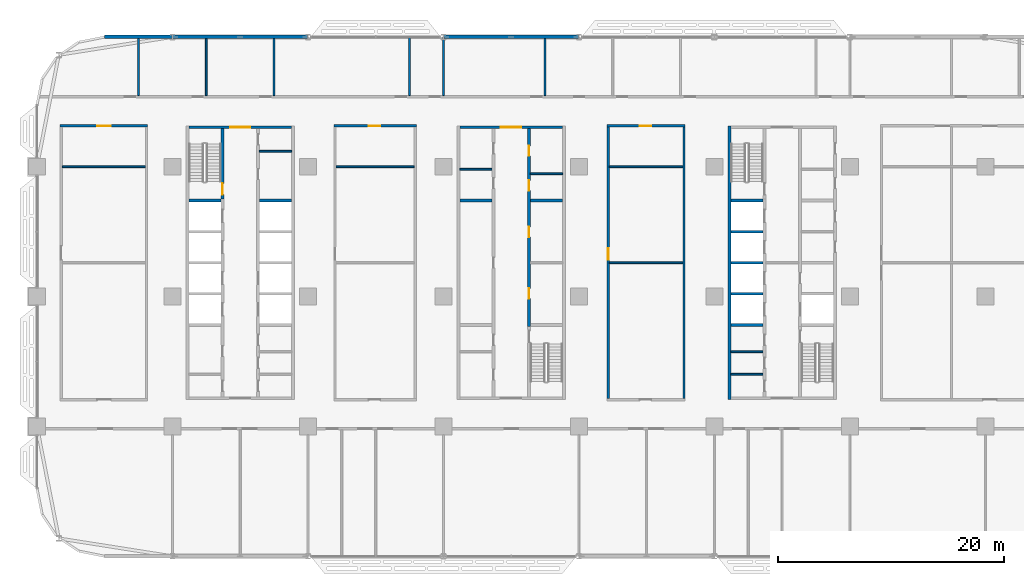
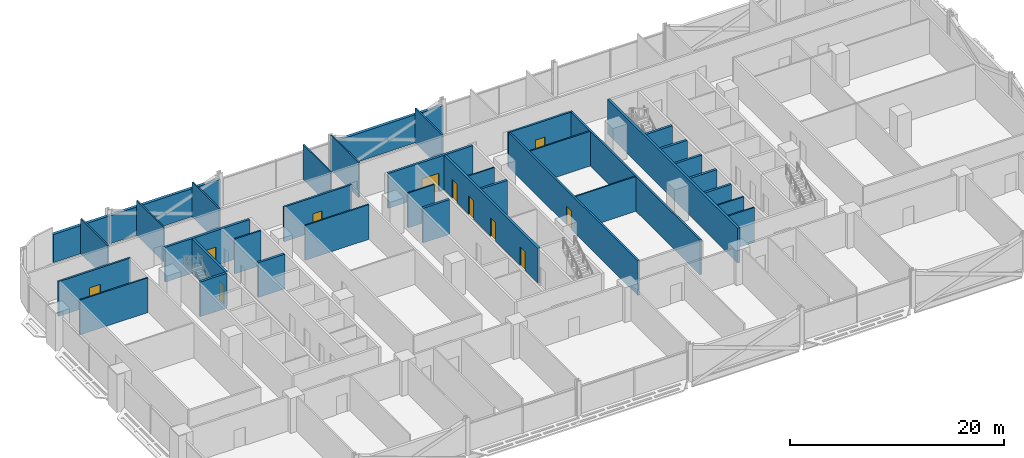
# One storey, part 14 of 29: 37 walls, 11 doors, 11 openings.
"""IFC4 building model written with IfcOpenShell, lengths in metres."""

from ifc_helpers import new_model, si_unit, direction, frame, frame_2d, origin, place, context, subcontext, project, spatial, rectangle, extrude, material, layer, layer_set, type_object, element, fill, save


model = new_model("IFC4")

# Units and contexts
model_context = context("Model", 3, precision=1e-05, world=origin(), true_north=direction((0.0, 1.0)))
body_context = subcontext(model_context, "Body", "Model", "MODEL_VIEW")
ifc_project = project(units=[si_unit("LENGTHUNIT", "METRE"), si_unit("AREAUNIT", "SQUARE_METRE"), si_unit("VOLUMEUNIT", "CUBIC_METRE"), si_unit("PLANEANGLEUNIT", "RADIAN"), si_unit("MASSUNIT", "GRAM", prefix="KILO")], contexts=[model_context])

# Site, building, storey
site_placement = place(None, origin())
site = spatial("IfcSite", under=ifc_project, at=site_placement, CompositionType="ELEMENT")
building_placement = place(site_placement, origin())
building = spatial("IfcBuilding", under=site, at=building_placement, Name="Mahtab Terrace Research Tower", CompositionType="ELEMENT")
storey_placement = place(building_placement, frame((0.0, 0.0, 58.89990234375)))
storey = spatial("IfcBuildingStorey", under=building, at=storey_placement, Name="L13", CompositionType="ELEMENT", Elevation=58.89990234375)

# Walls
ifc_material_1 = material(Name="Gypsum board partition")
ifc_layer_1 = layer(ifc_material_1, 0.14990234375)
ifc_layer_set_1 = layer_set([ifc_layer_1], Name="Core partition 150")
wall_type_1 = type_object("IfcWallType", Name="Core partition 150", PredefinedType="PARTITIONING", material=ifc_layer_set_1)
for number, where, z_axis, x_axis, name in (
    (1, (-22.300048828125, 12.875, 0.0), (0.0, 0.0, 1.0), (1.0, 0.0, 0.0), "Core wall A pEN988"),
    (2, (-4.550048828125, 11.27490234375, 0.0), (0.0, 0.0, 1.0), (1.0, 0.0, 0.0), "Core wall B pWN828"),
    (3, (1.699951171875, 10.875, 0.0), (0.0, 0.0, 1.0), (1.0, 0.0, 0.0), "Core wall B pEN788"),
    (4, (19.449951171875, -6.875, 0.0), (0.0, 0.0, 1.0), (1.0, 0.0, 0.0), "Core wall C pWS-988"),
    (5, (19.449951171875, -4.875, 0.0), (0.0, 0.0, 1.0), (1.0, 0.0, 0.0), "Core wall C pWS-788"),
):
    element("IfcWall", number, at=place(storey_placement, frame(where, z_axis=z_axis, x_axis=x_axis)), inside=storey, type_object=wall_type_1, Name=name, PredefinedType="PARTITIONING", context=body_context, shape_type="SweptSolid", body=[
        extrude(rectangle(XDim=2.85009765625, YDim=0.14990234375, at=frame_2d((1.425048828125, 0.0))), origin(), (0.0, 0.0, 1.0), 3.960205078125),
    ])

# Wall, opening, door
ifc_material_2 = material(Name="Concrete C70/85", Category="concrete")
ifc_layer_2 = layer(ifc_material_2, 0.25)
ifc_layer_set_2 = layer_set([ifc_layer_2], Name="Core wall 250")
wall_type_2 = type_object("IfcWallType", Name="Core wall 250", PredefinedType="SOLIDWALL", material=ifc_layer_set_2)
wall_1_placement = place(storey_placement, frame((-28.550048828125, 15.0, 0.0), z_axis=(0.0, 0.0, 1.0), x_axis=(1.0, 0.0, 0.0)))
wall_1 = element("IfcWall", 6, at=wall_1_placement, inside=storey, type_object=wall_type_2, Name="Core wall A endN", PredefinedType="SOLIDWALL", context=body_context, shape_type="SweptSolid", body=[
    extrude(rectangle(XDim=9.10009765625, YDim=0.25, at=frame_2d((4.550048828125, 0.0))), origin(), (0.0, 0.0, 1.0), 3.960205078125),
])
opening_1_placement = place(wall_1_placement, frame((3.64990234375, 0.0, 0.0)))
opening_1 = element("IfcOpeningElement", 7, at=opening_1_placement, cuts=wall_1, Name="Opening A-N1", PredefinedType="OPENING", context=body_context, shape_type="SweptSolid", body=[
    extrude(rectangle(XDim=1.800048828125, YDim=2.10009765625, at=frame_2d((0.89990234375, 1.050048828125))), frame((0.0, 0.135009765625, 0.0), z_axis=(0.0, -1.0, 0.0), x_axis=(1.0, 0.0, 0.0)), (0.0, 0.0, 1.0), 0.27001953125),
])
ifc_material_3 = material(Name="Steel fire door", Category="steel")
door_type_1 = type_object("IfcDoorType", Name="Lobby double door 1800x2100 1 HR", OperationType="DOUBLE_DOOR_SINGLE_SWING", PredefinedType="DOOR", material=ifc_material_3)
door_1_placement = place(opening_1_placement, origin())
door_1 = element("IfcDoor", 8, at=door_1_placement, inside=storey, type_object=door_type_1, Name="Core entrance door A N", OperationType="DOUBLE_DOOR_SINGLE_SWING", OverallHeight=2.10009765625, OverallWidth=1.800048828125, PredefinedType="DOOR", context=body_context, shape_type="SweptSolid", body=[
    extrude(rectangle(XDim=1.800048828125, YDim=2.10009765625, at=frame_2d((0.89990234375, 1.050048828125))), frame((0.0, 0.02490234375, 0.0), z_axis=(0.0, -1.0, 0.0), x_axis=(1.0, 0.0, 0.0)), (0.0, 0.0, 1.0), 0.050048828125),
])
fill(opening_1, door_1)

wall_2_placement = place(storey_placement, frame((-25.574951171875, 14.875, 0.0), z_axis=(0.0, 0.0, 1.0), x_axis=(0.0, -1.0, 0.0)))
wall_2 = element("IfcWall", 9, at=wall_2_placement, inside=storey, type_object=wall_type_2, Name="Core wall A innerWN", PredefinedType="SOLIDWALL", context=body_context, shape_type="SweptSolid", body=[
    extrude(rectangle(XDim=6.25, YDim=0.25, at=frame_2d((3.125, 0.0))), origin(), (0.0, 0.0, 1.0), 3.960205078125),
])
opening_2_placement = place(wall_2_placement, frame((4.85009765625, 0.0, 0.0)))
opening_2 = element("IfcOpeningElement", 10, at=opening_2_placement, cuts=wall_2, Name="Opening A-ST1", PredefinedType="OPENING", context=body_context, shape_type="SweptSolid", body=[
    extrude(rectangle(XDim=1.0, YDim=2.10009765625, at=frame_2d((0.5, 1.050048828125))), frame((0.0, 0.135009765625, 0.0), z_axis=(0.0, -1.0, 0.0), x_axis=(1.0, 0.0, 0.0)), (0.0, 0.0, 1.0), 0.27001953125),
])
door_type_2 = type_object("IfcDoorType", Name="Stair door 1000x2100 1.5 HR", OperationType="NOTDEFINED", PredefinedType="DOOR", material=ifc_material_3)
door_2_placement = place(opening_2_placement, origin())
door_2 = element("IfcDoor", 11, at=door_2_placement, inside=storey, type_object=door_type_2, Name="Stair door ST1 L13", OperationType="SINGLE_SWING_RIGHT", OverallHeight=2.10009765625, OverallWidth=1.0, PredefinedType="DOOR", context=body_context, shape_type="SweptSolid", body=[
    extrude(rectangle(XDim=1.0, YDim=2.10009765625, at=frame_2d((0.5, 1.050048828125))), frame((0.0, 0.02490234375, 0.0), z_axis=(0.0, -1.0, 0.0), x_axis=(1.0, 0.0, 0.0)), (0.0, 0.0, 1.0), 0.050048828125),
])
fill(opening_2, door_2)

# Walls
for number, where, z_axis, x_axis, name in (
    (12, (-28.550048828125, 8.5, 0.0), (0.0, 0.0, 1.0), (1.0, 0.0, 0.0), "Core wall A divW4"),
    (13, (-22.300048828125, 8.5, 0.0), (0.0, 0.0, 1.0), (1.0, 0.0, 0.0), "Core wall A divE4"),
):
    element("IfcWall", number, at=place(storey_placement, frame(where, z_axis=z_axis, x_axis=x_axis)), inside=storey, type_object=wall_type_2, Name=name, PredefinedType="SOLIDWALL", context=body_context, shape_type="SweptSolid", body=[
        extrude(rectangle(XDim=2.85009765625, YDim=0.25, at=frame_2d((1.425048828125, 0.0))), origin(), (0.0, 0.0, 1.0), 3.960205078125),
    ])

# Wall, opening, door
wall_3_placement = place(storey_placement, frame((-4.550048828125, 15.0, 0.0), z_axis=(0.0, 0.0, 1.0), x_axis=(1.0, 0.0, 0.0)))
wall_3 = element("IfcWall", 14, at=wall_3_placement, inside=storey, type_object=wall_type_2, Name="Core wall B endN", PredefinedType="SOLIDWALL", context=body_context, shape_type="SweptSolid", body=[
    extrude(rectangle(XDim=9.10009765625, YDim=0.25, at=frame_2d((4.550048828125, 0.0))), origin(), (0.0, 0.0, 1.0), 3.960205078125),
])
opening_3_placement = place(wall_3_placement, frame((3.64990234375, 0.0, 0.0)))
opening_3 = element("IfcOpeningElement", 15, at=opening_3_placement, cuts=wall_3, Name="Opening B-N1", PredefinedType="OPENING", context=body_context, shape_type="SweptSolid", body=[
    extrude(rectangle(XDim=1.800048828125, YDim=2.10009765625, at=frame_2d((0.89990234375, 1.050048828125))), frame((0.0, 0.135009765625, 0.0), z_axis=(0.0, -1.0, 0.0), x_axis=(1.0, 0.0, 0.0)), (0.0, 0.0, 1.0), 0.27001953125),
])
door_3_placement = place(opening_3_placement, origin())
door_3 = element("IfcDoor", 16, at=door_3_placement, inside=storey, type_object=door_type_1, Name="Core entrance door B N", OperationType="DOUBLE_DOOR_SINGLE_SWING", OverallHeight=2.10009765625, OverallWidth=1.800048828125, PredefinedType="DOOR", context=body_context, shape_type="SweptSolid", body=[
    extrude(rectangle(XDim=1.800048828125, YDim=2.10009765625, at=frame_2d((0.89990234375, 1.050048828125))), frame((0.0, 0.02490234375, 0.0), z_axis=(0.0, -1.0, 0.0), x_axis=(1.0, 0.0, 0.0)), (0.0, 0.0, 1.0), 0.050048828125),
])
fill(opening_3, door_3)

# Wall, openings, doors
wall_4_placement = place(storey_placement, frame((1.574951171875, 14.875, 0.0), z_axis=(0.0, 0.0, 1.0), x_axis=(0.0, -1.0, 0.0)))
wall_4 = element("IfcWall", 17, at=wall_4_placement, inside=storey, type_object=wall_type_2, Name="Core wall B innerELN", PredefinedType="SOLIDWALL", context=body_context, shape_type="SweptSolid", body=[
    extrude(rectangle(XDim=17.5, YDim=0.25, at=frame_2d((8.75, 0.0))), origin(), (0.0, 0.0, 1.0), 3.960205078125),
])
opening_4_placement = place(wall_4_placement, frame((14.14990234375, 0.0, 0.0)))
opening_4 = element("IfcOpeningElement", 18, at=opening_4_placement, cuts=wall_4, Name="Opening B-R2", PredefinedType="OPENING", context=body_context, shape_type="SweptSolid", body=[
    extrude(rectangle(XDim=0.89990234375, YDim=2.10009765625, at=frame_2d((0.449951171875, 1.050048828125))), frame((0.0, 0.135009765625, 0.0), z_axis=(0.0, -1.0, 0.0), x_axis=(1.0, 0.0, 0.0)), (0.0, 0.0, 1.0), 0.27001953125),
])
opening_5_placement = place(wall_4_placement, frame((8.699951171875, 0.0, 0.0)))
opening_5 = element("IfcOpeningElement", 19, at=opening_5_placement, cuts=wall_4, Name="Opening B-R3", PredefinedType="OPENING", context=body_context, shape_type="SweptSolid", body=[
    extrude(rectangle(XDim=0.89990234375, YDim=2.10009765625, at=frame_2d((0.449951171875, 1.050048828125))), frame((0.0, 0.135009765625, 0.0), z_axis=(0.0, -1.0, 0.0), x_axis=(1.0, 0.0, 0.0)), (0.0, 0.0, 1.0), 0.27001953125),
])
opening_6_placement = place(wall_4_placement, frame((4.58740234375, 0.0, 0.0)))
opening_6 = element("IfcOpeningElement", 20, at=opening_6_placement, cuts=wall_4, Name="Opening B-R8", PredefinedType="OPENING", context=body_context, shape_type="SweptSolid", body=[
    extrude(rectangle(XDim=0.89990234375, YDim=2.10009765625, at=frame_2d((0.449951171875, 1.050048828125))), frame((0.0, 0.135009765625, 0.0), z_axis=(0.0, -1.0, 0.0), x_axis=(1.0, 0.0, 0.0)), (0.0, 0.0, 1.0), 0.27001953125),
])
opening_7_placement = place(wall_4_placement, frame((1.512451171875, 0.0, 0.0)))
opening_7 = element("IfcOpeningElement", 21, at=opening_7_placement, cuts=wall_4, Name="Opening B-R9", PredefinedType="OPENING", context=body_context, shape_type="SweptSolid", body=[
    extrude(rectangle(XDim=0.89990234375, YDim=2.10009765625, at=frame_2d((0.449951171875, 1.050048828125))), frame((0.0, 0.135009765625, 0.0), z_axis=(0.0, -1.0, 0.0), x_axis=(1.0, 0.0, 0.0)), (0.0, 0.0, 1.0), 0.27001953125),
])
door_type_3 = type_object("IfcDoorType", Name="Room door 900x2100 1 HR", OperationType="NOTDEFINED", PredefinedType="DOOR", material=ifc_material_3)
door_4_placement = place(opening_4_placement, origin())
door_4 = element("IfcDoor", 22, at=door_4_placement, inside=storey, type_object=door_type_3, Name="Document store door", OperationType="SINGLE_SWING_RIGHT", OverallHeight=2.10009765625, OverallWidth=0.89990234375, PredefinedType="DOOR", context=body_context, shape_type="SweptSolid", body=[
    extrude(rectangle(XDim=0.89990234375, YDim=2.10009765625, at=frame_2d((0.449951171875, 1.050048828125))), frame((0.0, 0.02490234375, 0.0), z_axis=(0.0, -1.0, 0.0), x_axis=(1.0, 0.0, 0.0)), (0.0, 0.0, 1.0), 0.050048828125),
])
fill(opening_4, door_4)
door_5_placement = place(opening_5_placement, origin())
door_5 = element("IfcDoor", 23, at=door_5_placement, inside=storey, type_object=door_type_3, Name="IT equipment room door", OperationType="SINGLE_SWING_LEFT", OverallHeight=2.10009765625, OverallWidth=0.89990234375, PredefinedType="DOOR", context=body_context, shape_type="SweptSolid", body=[
    extrude(rectangle(XDim=0.89990234375, YDim=2.10009765625, at=frame_2d((0.449951171875, 1.050048828125))), frame((0.0, 0.02490234375, 0.0), z_axis=(0.0, -1.0, 0.0), x_axis=(1.0, 0.0, 0.0)), (0.0, 0.0, 1.0), 0.050048828125),
])
fill(opening_5, door_5)
door_6_placement = place(opening_6_placement, origin())
door_6 = element("IfcDoor", 24, at=door_6_placement, inside=storey, type_object=door_type_3, Name="Accessible WC door", OperationType="SINGLE_SWING_RIGHT", OverallHeight=2.10009765625, OverallWidth=0.89990234375, PredefinedType="DOOR", context=body_context, shape_type="SweptSolid", body=[
    extrude(rectangle(XDim=0.89990234375, YDim=2.10009765625, at=frame_2d((0.449951171875, 1.050048828125))), frame((0.0, 0.02490234375, 0.0), z_axis=(0.0, -1.0, 0.0), x_axis=(1.0, 0.0, 0.0)), (0.0, 0.0, 1.0), 0.050048828125),
])
fill(opening_6, door_6)
door_7_placement = place(opening_7_placement, origin())
door_7 = element("IfcDoor", 25, at=door_7_placement, inside=storey, type_object=door_type_3, Name="WC block door", OperationType="SINGLE_SWING_LEFT", OverallHeight=2.10009765625, OverallWidth=0.89990234375, PredefinedType="DOOR", context=body_context, shape_type="SweptSolid", body=[
    extrude(rectangle(XDim=0.89990234375, YDim=2.10009765625, at=frame_2d((0.449951171875, 1.050048828125))), frame((0.0, 0.02490234375, 0.0), z_axis=(0.0, -1.0, 0.0), x_axis=(1.0, 0.0, 0.0)), (0.0, 0.0, 1.0), 0.050048828125),
])
fill(opening_7, door_7)

# Walls
for number, where, z_axis, x_axis, name in (
    (26, (-4.550048828125, 8.5, 0.0), (0.0, 0.0, 1.0), (1.0, 0.0, 0.0), "Core wall B divW4"),
    (27, (1.699951171875, 8.5, 0.0), (0.0, 0.0, 1.0), (1.0, 0.0, 0.0), "Core wall B divE4"),
):
    element("IfcWall", number, at=place(storey_placement, frame(where, z_axis=z_axis, x_axis=x_axis)), inside=storey, type_object=wall_type_2, Name=name, PredefinedType="SOLIDWALL", context=body_context, shape_type="SweptSolid", body=[
        extrude(rectangle(XDim=2.85009765625, YDim=0.25, at=frame_2d((1.425048828125, 0.0))), origin(), (0.0, 0.0, 1.0), 3.960205078125),
    ])
wall_5_placement = place(storey_placement, frame((19.324951171875, 15.125, 0.0), z_axis=(0.0, 0.0, 1.0), x_axis=(0.0, -1.0, 0.0)))
element("IfcWall", 28, at=wall_5_placement, inside=storey, type_object=wall_type_2, Name="Core wall C outerW", PredefinedType="SOLIDWALL", context=body_context, shape_type="SweptSolid", body=[
    extrude(rectangle(XDim=24.25, YDim=0.25, at=frame_2d((12.125, 0.0))), origin(), (0.0, 0.0, 1.0), 3.960205078125),
])
for number, where, z_axis, x_axis, name in (
    (29, (19.449951171875, -2.5, 0.0), (0.0, 0.0, 1.0), (1.0, 0.0, 0.0), "Core wall C divW0"),
    (30, (19.449951171875, 0.25, 0.0), (0.0, 0.0, 1.0), (1.0, 0.0, 0.0), "Core wall C divW1"),
    (31, (19.449951171875, 3.0, 0.0), (0.0, 0.0, 1.0), (1.0, 0.0, 0.0), "Core wall C divW2"),
    (32, (19.449951171875, 5.75, 0.0), (0.0, 0.0, 1.0), (1.0, 0.0, 0.0), "Core wall C divW3"),
    (33, (19.449951171875, 8.5, 0.0), (0.0, 0.0, 1.0), (1.0, 0.0, 0.0), "Core wall C divW4"),
):
    element("IfcWall", number, at=place(storey_placement, frame(where, z_axis=z_axis, x_axis=x_axis)), inside=storey, type_object=wall_type_2, Name=name, PredefinedType="SOLIDWALL", context=body_context, shape_type="SweptSolid", body=[
        extrude(rectangle(XDim=2.85009765625, YDim=0.25, at=frame_2d((1.425048828125, 0.0))), origin(), (0.0, 0.0, 1.0), 3.960205078125),
    ])
ifc_material_4 = material(Name="Black aluminium cladding panel", Category="aluminium")
ifc_layer_3 = layer(ifc_material_4, 0.300048828125)
ifc_layer_set_3 = layer_set([ifc_layer_3], Name="Opaque facade wall 300")
wall_type_3 = type_object("IfcWallType", Name="Opaque facade wall 300", PredefinedType="NOTDEFINED", material=ifc_layer_set_3)
for number, where, z_axis, x_axis, name in (
    (34, (5.97607421875, 23.0, 0.0), (0.0, 0.0, 1.0), (-1.0, 0.0, 0.0), "Opaque facade wall L13 N7"),
    (35, (-18.02392578125, 23.0, 0.0), (0.0, 0.0, 1.0), (-1.0, 0.0, 0.0), "Opaque facade wall L13 N9"),
):
    element("IfcWall", number, at=place(storey_placement, frame(where, z_axis=z_axis, x_axis=x_axis)), inside=storey, type_object=wall_type_3, Name=name, PredefinedType="NOTDEFINED", context=body_context, shape_type="SweptSolid", body=[
        extrude(rectangle(XDim=11.9521484375, YDim=0.300048828125, at=frame_2d((5.97607421875, 0.0))), origin(), (0.0, 0.0, 1.0), 3.203125),
    ])
wall_6_placement = place(storey_placement, frame((-30.02392578125, 23.0, 0.0), z_axis=(0.0, 0.0, 1.0), x_axis=(-1.0, 0.0, 0.0)))
element("IfcWall", 36, at=wall_6_placement, inside=storey, type_object=wall_type_3, Name="Opaque facade wall L13 N10", PredefinedType="NOTDEFINED", context=body_context, shape_type="SweptSolid", body=[
    extrude(rectangle(XDim=5.97607421875, YDim=0.300048828125, at=frame_2d((2.988037109375, 0.0))), origin(), (0.0, 0.0, 1.0), 3.203125),
])

# Wall, opening, door
ifc_material_5 = material(Name="Gypsum board corridor wall on steel studs", Category="steel")
ifc_layer_4 = layer(ifc_material_5, 0.199951171875)
ifc_layer_set_4 = layer_set([ifc_layer_4], Name="WALL CORRIDOR 200")
wall_type_4 = type_object("IfcWallType", Name="WALL CORRIDOR 200", PredefinedType="PARTITIONING", material=ifc_layer_set_4)
wall_7_placement = place(storey_placement, frame((-39.949951171875, 15.125, 0.0), z_axis=(0.0, 0.0, 1.0), x_axis=(1.0, 0.0, 0.0)))
wall_7 = element("IfcWall", 37, at=wall_7_placement, inside=storey, type_object=wall_type_4, Name="L13-W022", PredefinedType="PARTITIONING", context=body_context, shape_type="SweptSolid", body=[
    extrude(rectangle(XDim=7.75, YDim=0.199951171875, at=frame_2d((3.875, 0.0))), origin(), (0.0, 0.0, 1.0), 3.960205078125),
])
opening_8_placement = place(wall_7_placement, frame((3.300048828125, 0.0, 0.0)))
opening_8 = element("IfcOpeningElement", 38, at=opening_8_placement, cuts=wall_7, Name="Opening L13-126", PredefinedType="OPENING", context=body_context, shape_type="SweptSolid", body=[
    extrude(rectangle(XDim=1.199951171875, YDim=2.10009765625, at=frame_2d((0.60009765625, 1.050048828125))), frame((0.0, 0.10986328125, 0.0), z_axis=(0.0, -1.0, 0.0), x_axis=(1.0, 0.0, 0.0)), (0.0, 0.0, 1.0), 0.219970703125),
])
ifc_material_6 = material(Name="Timber door leaf in steel frame", Category="steel")
door_type_4 = type_object("IfcDoorType", Name="DOOR 1200X2100 FD30S", OperationType="SINGLE_SWING_LEFT", PredefinedType="DOOR", material=ifc_material_6)
door_8_placement = place(opening_8_placement, origin())
door_8 = element("IfcDoor", 39, at=door_8_placement, inside=storey, type_object=door_type_4, Name="Door L13-126", OperationType="SINGLE_SWING_LEFT", OverallHeight=2.10009765625, OverallWidth=1.199951171875, PredefinedType="DOOR", context=body_context, shape_type="SweptSolid", body=[
    extrude(rectangle(XDim=1.199951171875, YDim=2.10009765625, at=frame_2d((0.60009765625, 1.050048828125))), frame((0.0, 0.02490234375, 0.0), z_axis=(0.0, -1.0, 0.0), x_axis=(1.0, 0.0, 0.0)), (0.0, 0.0, 1.0), 0.050048828125),
])
fill(opening_8, door_8)

wall_8_placement = place(storey_placement, frame((-15.699951171875, 15.125, 0.0), z_axis=(0.0, 0.0, 1.0), x_axis=(1.0, 0.0, 0.0)))
wall_8 = element("IfcWall", 40, at=wall_8_placement, inside=storey, type_object=wall_type_4, Name="L13-W023", PredefinedType="PARTITIONING", context=body_context, shape_type="SweptSolid", body=[
    extrude(rectangle(XDim=7.300048828125, YDim=0.199951171875, at=frame_2d((3.64990234375, 0.0))), origin(), (0.0, 0.0, 1.0), 3.960205078125),
])
opening_9_placement = place(wall_8_placement, frame((3.10009765625, 0.0, 0.0)))
opening_9 = element("IfcOpeningElement", 41, at=opening_9_placement, cuts=wall_8, Name="Opening L13-127", PredefinedType="OPENING", context=body_context, shape_type="SweptSolid", body=[
    extrude(rectangle(XDim=1.0, YDim=2.10009765625, at=frame_2d((0.5, 1.050048828125))), frame((0.0, 0.10986328125, 0.0), z_axis=(0.0, -1.0, 0.0), x_axis=(1.0, 0.0, 0.0)), (0.0, 0.0, 1.0), 0.219970703125),
])
door_type_5 = type_object("IfcDoorType", Name="DOOR 1000X2100 FD30S", OperationType="SINGLE_SWING_LEFT", PredefinedType="DOOR", material=ifc_material_6)
door_9_placement = place(opening_9_placement, origin())
door_9 = element("IfcDoor", 42, at=door_9_placement, inside=storey, type_object=door_type_5, Name="Door L13-127", OperationType="SINGLE_SWING_RIGHT", OverallHeight=2.10009765625, OverallWidth=1.0, PredefinedType="DOOR", context=body_context, shape_type="SweptSolid", body=[
    extrude(rectangle(XDim=1.0, YDim=2.10009765625, at=frame_2d((0.5, 1.050048828125))), frame((0.0, 0.02490234375, 0.0), z_axis=(0.0, -1.0, 0.0), x_axis=(1.0, 0.0, 0.0)), (0.0, 0.0, 1.0), 0.050048828125),
])
fill(opening_9, door_9)

wall_9_placement = place(storey_placement, frame((8.5, 15.125, 0.0), z_axis=(0.0, 0.0, 1.0), x_axis=(1.0, 0.0, 0.0)))
wall_9 = element("IfcWall", 43, at=wall_9_placement, inside=storey, type_object=wall_type_4, Name="L13-W024", PredefinedType="PARTITIONING", context=body_context, shape_type="SweptSolid", body=[
    extrude(rectangle(XDim=6.89990234375, YDim=0.199951171875, at=frame_2d((3.449951171875, 0.0))), origin(), (0.0, 0.0, 1.0), 3.960205078125),
])
opening_10_placement = place(wall_9_placement, frame((2.89990234375, 0.0, 0.0)))
opening_10 = element("IfcOpeningElement", 44, at=opening_10_placement, cuts=wall_9, Name="Opening L13-128", PredefinedType="OPENING", context=body_context, shape_type="SweptSolid", body=[
    extrude(rectangle(XDim=1.0, YDim=2.10009765625, at=frame_2d((0.5, 1.050048828125))), frame((0.0, 0.10986328125, 0.0), z_axis=(0.0, -1.0, 0.0), x_axis=(1.0, 0.0, 0.0)), (0.0, 0.0, 1.0), 0.219970703125),
])
door_10_placement = place(opening_10_placement, origin())
door_10 = element("IfcDoor", 45, at=door_10_placement, inside=storey, type_object=door_type_5, Name="Door L13-128", OperationType="SINGLE_SWING_RIGHT", OverallHeight=2.10009765625, OverallWidth=1.0, PredefinedType="DOOR", context=body_context, shape_type="SweptSolid", body=[
    extrude(rectangle(XDim=1.0, YDim=2.10009765625, at=frame_2d((0.5, 1.050048828125))), frame((0.0, 0.02490234375, 0.0), z_axis=(0.0, -1.0, 0.0), x_axis=(1.0, 0.0, 0.0)), (0.0, 0.0, 1.0), 0.050048828125),
])
fill(opening_10, door_10)

wall_10_placement = place(storey_placement, frame((8.60009765625, -9.02490234375, 0.0), z_axis=(0.0, 0.0, 1.0), x_axis=(0.0, 1.0, 0.0)))
wall_10 = element("IfcWall", 46, at=wall_10_placement, inside=storey, type_object=wall_type_4, Name="L13-W044", PredefinedType="PARTITIONING", context=body_context, shape_type="SweptSolid", body=[
    extrude(rectangle(XDim=24.0498046875, YDim=0.199951171875, at=frame_2d((12.02490234375, 0.0))), origin(), (0.0, 0.0, 1.0), 3.960205078125),
])
opening_11_placement = place(wall_10_placement, frame((12.300048828125, 0.0, 0.0)))
opening_11 = element("IfcOpeningElement", 47, at=opening_11_placement, cuts=wall_10, Name="Opening L13-123", PredefinedType="OPENING", context=body_context, shape_type="SweptSolid", body=[
    extrude(rectangle(XDim=1.0, YDim=2.10009765625, at=frame_2d((0.5, 1.050048828125))), frame((0.0, 0.10986328125, 0.0), z_axis=(0.0, -1.0, 0.0), x_axis=(1.0, 0.0, 0.0)), (0.0, 0.0, 1.0), 0.219970703125),
])
door_11_placement = place(opening_11_placement, origin())
door_11 = element("IfcDoor", 48, at=door_11_placement, inside=storey, type_object=door_type_5, Name="Door L13-123", OperationType="SINGLE_SWING_LEFT", OverallHeight=2.10009765625, OverallWidth=1.0, PredefinedType="DOOR", context=body_context, shape_type="SweptSolid", body=[
    extrude(rectangle(XDim=1.0, YDim=2.10009765625, at=frame_2d((0.5, 1.050048828125))), frame((0.0, 0.02490234375, 0.0), z_axis=(0.0, -1.0, 0.0), x_axis=(1.0, 0.0, 0.0)), (0.0, 0.0, 1.0), 0.050048828125),
])
fill(opening_11, door_11)

# Walls
wall_11_placement = place(storey_placement, frame((15.300048828125, -9.02490234375, 0.0), z_axis=(0.0, 0.0, 1.0), x_axis=(0.0, 1.0, 0.0)))
element("IfcWall", 49, at=wall_11_placement, inside=storey, type_object=wall_type_4, Name="L13-W048", PredefinedType="PARTITIONING", context=body_context, shape_type="SweptSolid", body=[
    extrude(rectangle(XDim=24.0498046875, YDim=0.199951171875, at=frame_2d((12.02490234375, 0.0))), origin(), (0.0, 0.0, 1.0), 3.960205078125),
])
ifc_material_7 = material(Name="Gypsum board partition on steel studs", Category="steel")
ifc_layer_5 = layer(ifc_material_7, 0.14990234375)
ifc_layer_set_5 = layer_set([ifc_layer_5], Name="WALL PARTITION 150")
wall_type_5 = type_object("IfcWallType", Name="WALL PARTITION 150", PredefinedType="PARTITIONING", material=ifc_layer_set_5)
wall_12_placement = place(storey_placement, frame((8.699951171875, 3.0, 0.0), z_axis=(0.0, 0.0, 1.0), x_axis=(1.0, 0.0, 0.0)))
element("IfcWall", 50, at=wall_12_placement, inside=storey, type_object=wall_type_5, Name="L13-W015", PredefinedType="PARTITIONING", context=body_context, shape_type="SweptSolid", body=[
    extrude(rectangle(XDim=6.5, YDim=0.14990234375, at=frame_2d((3.25, 0.0))), origin(), (0.0, 0.0, 1.0), 3.960205078125),
])
wall_13_placement = place(storey_placement, frame((-39.75, 11.5, 0.0), z_axis=(0.0, 0.0, 1.0), x_axis=(1.0, 0.0, 0.0)))
element("IfcWall", 51, at=wall_13_placement, inside=storey, type_object=wall_type_5, Name="L13-W017", PredefinedType="PARTITIONING", context=body_context, shape_type="SweptSolid", body=[
    extrude(rectangle(XDim=7.35009765625, YDim=0.14990234375, at=frame_2d((3.675048828125, 0.0))), origin(), (0.0, 0.0, 1.0), 3.960205078125),
])
wall_14_placement = place(storey_placement, frame((-15.5, 11.5, 0.0), z_axis=(0.0, 0.0, 1.0), x_axis=(1.0, 0.0, 0.0)))
element("IfcWall", 52, at=wall_14_placement, inside=storey, type_object=wall_type_5, Name="L13-W018", PredefinedType="PARTITIONING", context=body_context, shape_type="SweptSolid", body=[
    extrude(rectangle(XDim=6.89990234375, YDim=0.14990234375, at=frame_2d((3.449951171875, 0.0))), origin(), (0.0, 0.0, 1.0), 3.960205078125),
])
wall_15_placement = place(storey_placement, frame((8.699951171875, 11.5, 0.0), z_axis=(0.0, 0.0, 1.0), x_axis=(1.0, 0.0, 0.0)))
element("IfcWall", 53, at=wall_15_placement, inside=storey, type_object=wall_type_5, Name="L13-W019", PredefinedType="PARTITIONING", context=body_context, shape_type="SweptSolid", body=[
    extrude(rectangle(XDim=6.5, YDim=0.14990234375, at=frame_2d((3.25, 0.0))), origin(), (0.0, 0.0, 1.0), 3.960205078125),
])
for number, where, z_axis, x_axis, name in (
    (54, (-33.0, 17.800048828125, 0.0), (0.0, 0.0, 1.0), (0.0, 1.0, 0.0), "L13-W028"),
    (55, (-27.0, 17.800048828125, 0.0), (0.0, 0.0, 1.0), (0.0, 1.0, 0.0), "L13-W031"),
    (56, (-21.0, 17.800048828125, 0.0), (0.0, 0.0, 1.0), (0.0, 1.0, 0.0), "L13-W033"),
):
    element("IfcWall", number, at=place(storey_placement, frame(where, z_axis=z_axis, x_axis=x_axis)), inside=storey, type_object=wall_type_5, Name=name, PredefinedType="PARTITIONING", context=body_context, shape_type="SweptSolid", body=[
        extrude(rectangle(XDim=5.050048828125, YDim=0.14990234375, at=frame_2d((2.52490234375, 0.0))), origin(), (0.0, 0.0, 1.0), 3.960205078125),
    ])
for number, where, z_axis, x_axis, name in (
    (57, (-9.0, 17.800048828125, 0.0), (0.0, 0.0, 1.0), (0.0, 1.0, 0.0), "L13-W038"),
    (58, (-6.0, 17.800048828125, 0.0), (0.0, 0.0, 1.0), (0.0, 1.0, 0.0), "L13-W041"),
):
    element("IfcWall", number, at=place(storey_placement, frame(where, z_axis=z_axis, x_axis=x_axis)), inside=storey, type_object=wall_type_5, Name=name, PredefinedType="PARTITIONING", context=body_context, shape_type="SweptSolid", body=[
        extrude(rectangle(XDim=5.175048828125, YDim=0.14990234375, at=frame_2d((2.58740234375, 0.0))), origin(), (0.0, 0.0, 1.0), 3.960205078125),
    ])
wall_16_placement = place(storey_placement, frame((3.0, 17.800048828125, 0.0), z_axis=(0.0, 0.0, 1.0), x_axis=(0.0, 1.0, 0.0)))
element("IfcWall", 59, at=wall_16_placement, inside=storey, type_object=wall_type_5, Name="L13-W042", PredefinedType="PARTITIONING", context=body_context, shape_type="SweptSolid", body=[
    extrude(rectangle(XDim=5.050048828125, YDim=0.14990234375, at=frame_2d((2.52490234375, 0.0))), origin(), (0.0, 0.0, 1.0), 3.960205078125),
])

save(model, "model.ifc")
